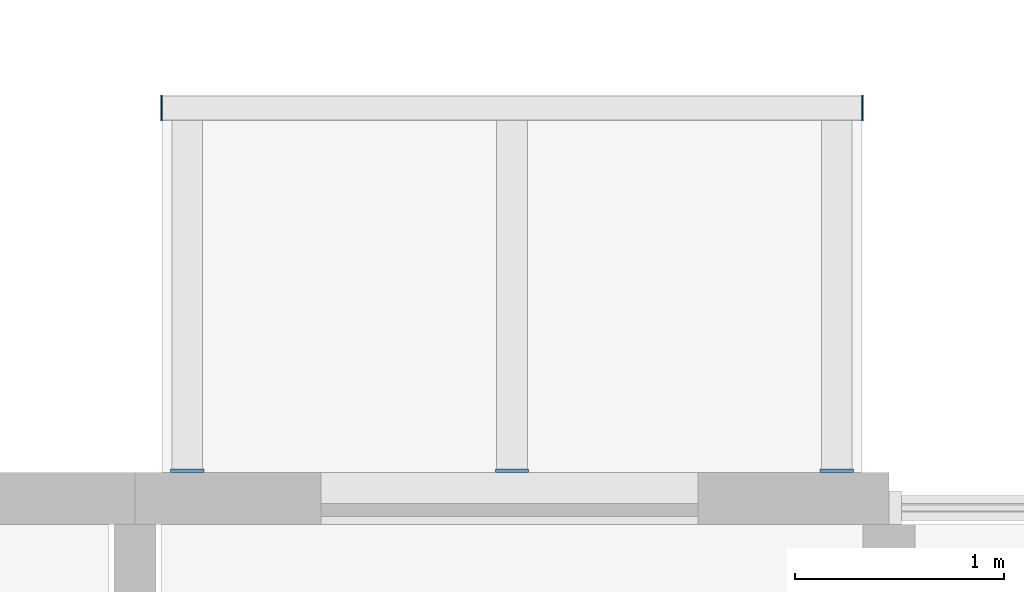
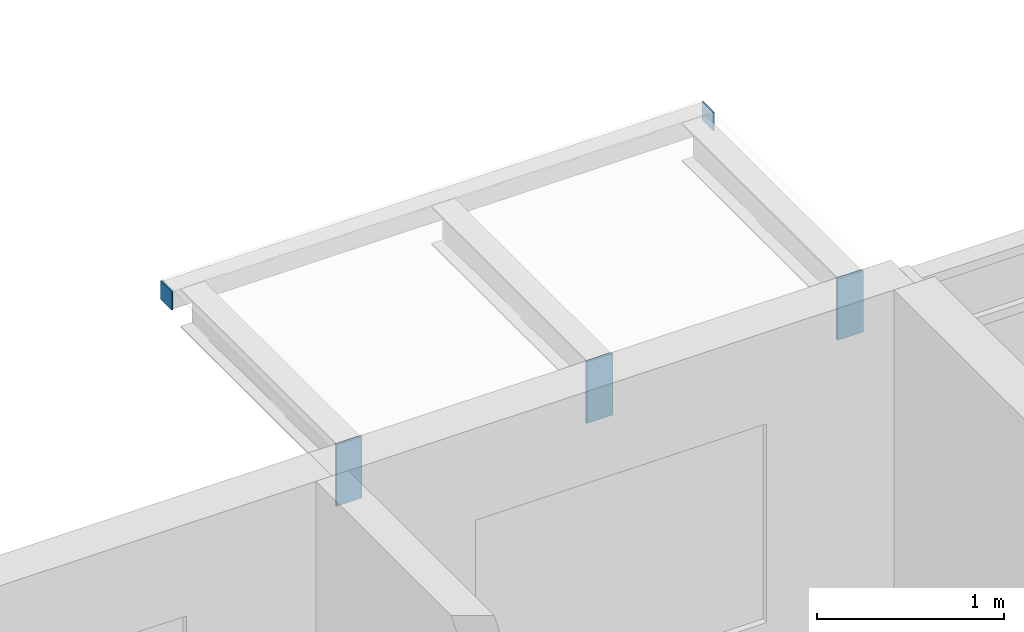
# One storey, part 70 of 100: 5 discrete accessories.
"""IFC4 building model written with IfcOpenShell, lengths in metres."""

from ifc_helpers import new_model, si_unit, direction, frame, origin, origin_2d, place, context, subcontext, project, spatial, rectangle, extrude, material, layer, layer_set, type_object, element, save


model = new_model("IFC4")

# Units and contexts
model_context = context("Model", 3, precision=1e-05, world=origin(), true_north=direction((0.0, 1.0)))
body_context = subcontext(model_context, "Body", "Model", "MODEL_VIEW")
ifc_project = project(units=[si_unit("LENGTHUNIT", "METRE"), si_unit("AREAUNIT", "SQUARE_METRE"), si_unit("VOLUMEUNIT", "CUBIC_METRE"), si_unit("PLANEANGLEUNIT", "RADIAN"), si_unit("MASSUNIT", "GRAM", prefix="KILO")], contexts=[model_context])

# Site, building, storey
site_placement = place(None, origin())
site = spatial("IfcSite", under=ifc_project, at=site_placement, CompositionType="ELEMENT")
building_placement = place(site_placement, origin())
building = spatial("IfcBuilding", under=site, at=building_placement, Name="Ridgestep Commons", CompositionType="ELEMENT")
storey_placement = place(building_placement, frame((0.0, 0.0, 9.0)))
storey = spatial("IfcBuildingStorey", under=building, at=storey_placement, Name="L03", CompositionType="ELEMENT", Elevation=9.0)

# Discrete accessories
ifc_material_1 = material(Name="Weathering steel S355J2W", Category="steel")
ifc_layer_1 = layer(ifc_material_1, 0.014892578125)
ifc_layer_set_1 = layer_set([ifc_layer_1], Name="Tray bracket plate 15")
discrete_accessory_type_1 = type_object("IfcDiscreteAccessoryType", Name="Tray bracket plate 15", PredefinedType="BRACKET", material=ifc_layer_set_1)
for number, where, z_axis, x_axis, name in (
    (1, (154.25, 23.007568359375, 2.588623046875), (0.0, 0.0, 1.0), (1.0, 0.0, 0.0), "Tray bracket D1T3-04.1"),
    (2, (155.800048828125, 23.007568359375, 2.588623046875), (0.0, 0.0, 1.0), (1.0, 0.0, 0.0), "Tray bracket D1T3-04.2"),
    (3, (157.35009765625, 23.007568359375, 2.588623046875), (0.0, 0.0, 1.0), (1.0, 0.0, 0.0), "Tray bracket D1T3-04.3"),
):
    element("IfcDiscreteAccessory", number, at=place(storey_placement, frame(where, z_axis=z_axis, x_axis=x_axis)), inside=storey, type_object=discrete_accessory_type_1, Name=name, PredefinedType="BRACKET", context=body_context, shape_type="SweptSolid", body=[
        extrude(rectangle(XDim=0.159912109375, YDim=0.014892578125, at=origin_2d()), origin(), (0.0, 0.0, 1.0), 0.4013671875),
    ])
ifc_material_2 = material(Name="Weathering steel S355J2W", Category="steel")
ifc_layer_2 = layer(ifc_material_2, 0.008056640625)
ifc_layer_set_2 = layer_set([ifc_layer_2], Name="Tray edge member end plate 120 x 120 x 8")
discrete_accessory_type_2 = type_object("IfcDiscreteAccessoryType", Name="Tray edge member end plate 120 x 120 x 8", PredefinedType="BRACKET", material=ifc_layer_set_2)
for number, where, z_axis, x_axis, name in (
    (4, (154.1259765625, 24.739990234375, 2.869873046875), (0.0, 0.0, 1.0), (1.0, 0.0, 0.0), "Tray edge member end plate D1T3-04 west"),
    (5, (157.47412109375, 24.739990234375, 2.869873046875), (0.0, 0.0, 1.0), (1.0, 0.0, 0.0), "Tray edge member end plate D1T3-04 east"),
):
    element("IfcDiscreteAccessory", number, at=place(storey_placement, frame(where, z_axis=z_axis, x_axis=x_axis)), inside=storey, type_object=discrete_accessory_type_2, Name=name, PredefinedType="BRACKET", context=body_context, shape_type="SweptSolid", body=[
        extrude(rectangle(XDim=0.008056640625, YDim=0.1201171875, at=origin_2d()), origin(), (0.0, 0.0, 1.0), 0.1201171875),
    ])

save(model, "model.ifc")
